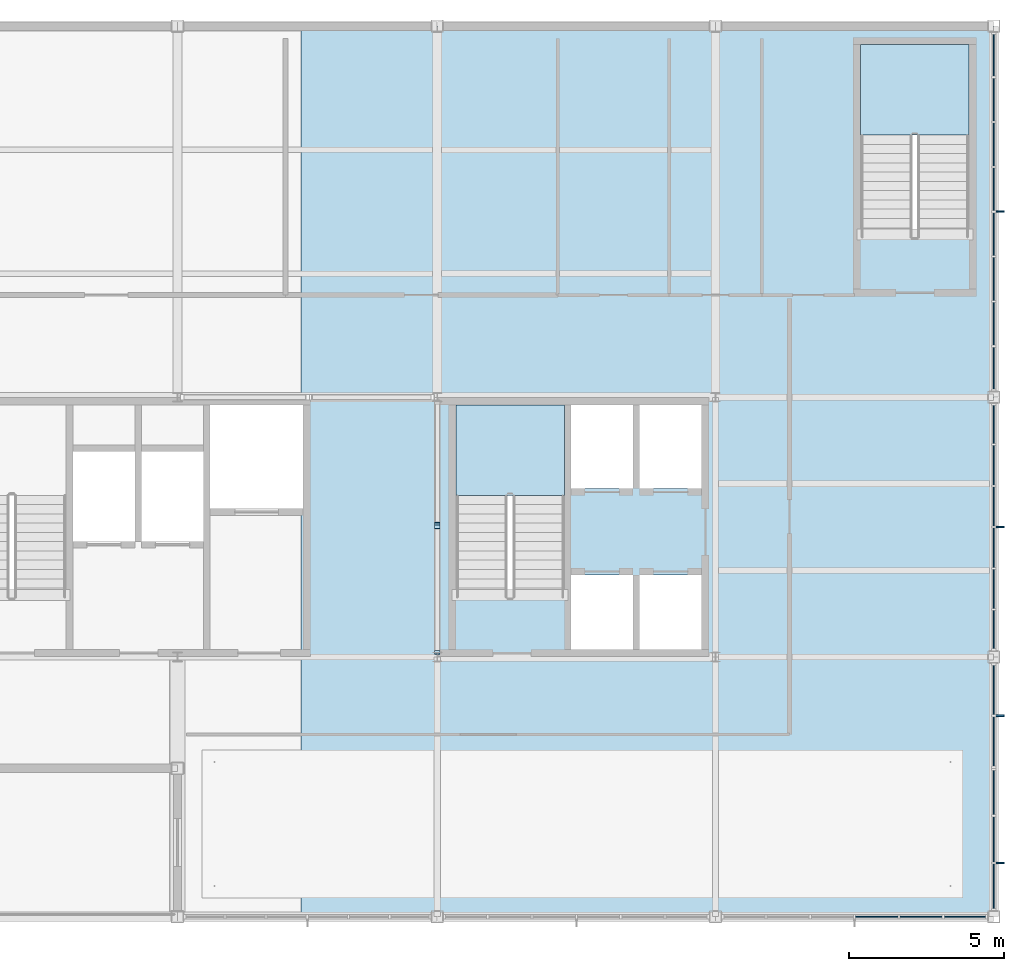
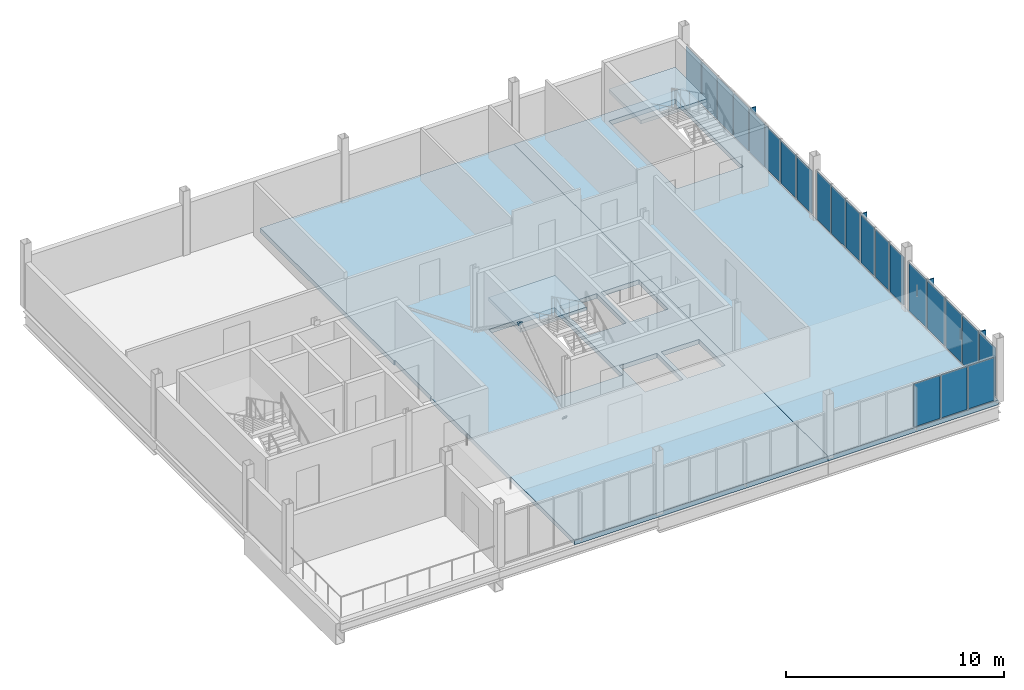
# One storey, part 10 of 17: 29 plates, 4 slabs, 7 elements without a shape of their own.
"""IFC4 building model written with IfcOpenShell, lengths in metres."""

from ifc_helpers import new_model, si_unit, direction, frame, origin, origin_2d, place, context, subcontext, project, spatial, polyline, rectangle, outline, extrude, material, layer, layer_set, type_object, element, aggregate, save


model = new_model("IFC4")

# Units and contexts
model_context = context("Model", 3, precision=1e-05, world=origin(), true_north=direction((0.0, 1.0)))
body_context = subcontext(model_context, "Body", "Model", "MODEL_VIEW")
ifc_project = project(units=[si_unit("LENGTHUNIT", "METRE"), si_unit("AREAUNIT", "SQUARE_METRE"), si_unit("VOLUMEUNIT", "CUBIC_METRE"), si_unit("PLANEANGLEUNIT", "RADIAN"), si_unit("MASSUNIT", "GRAM", prefix="KILO")], contexts=[model_context])

# Site, building, storey
site_placement = place(None, origin())
site = spatial("IfcSite", under=ifc_project, at=site_placement, CompositionType="ELEMENT")
building_placement = place(site_placement, origin())
building = spatial("IfcBuilding", under=site, at=building_placement, Name="Yukiwa Park Conservatory and Herbarium", CompositionType="ELEMENT")
storey_placement = place(building_placement, frame((0.0, 0.0, 57.60009765625)))
storey = spatial("IfcBuildingStorey", under=building, at=storey_placement, Name="L15", CompositionType="ELEMENT", Elevation=57.60009765625)

# Plates
ifc_material_1 = material(Name="Steel Q355D", Category="steel")
ifc_layer_1 = layer(ifc_material_1, 0.02392578125)
ifc_layer_set_1 = layer_set([ifc_layer_1], Name="Steel Q355D")
plate_type_1 = type_object("IfcPlateType", Name="PL-CAP-24-INT", PredefinedType="USERDEFINED", material=ifc_layer_set_1)
for number, where, z_axis, x_axis, name in (
    (1, (150.0, 94.951904296875, 0.15478515625), (0.0, -0.822557603224, -0.56868179976), (1.0, 0.0, 0.0), "Hollow section end cap plate CAP-BR-L15-075A"),
    (2, (150.0, 98.993408203125, 2.950439453125), (0.0, 0.822557603224, 0.56868179976), (-1.0, 0.0, 0.0), "Hollow section end cap plate CAP-BR-L15-075B"),
    (3, (150.0, 99.109375, 2.87939453125), (0.0, -0.822557603224, 0.56868179976), (1.0, 0.0, 0.0), "Hollow section end cap plate CAP-BR-L15-076B"),
):
    element("IfcPlate", number, at=place(storey_placement, frame(where, z_axis=z_axis, x_axis=x_axis)), inside=storey, type_object=plate_type_1, Name=name, ObjectType="END CAP PLATE", PredefinedType="USERDEFINED", context=body_context, shape_type="SweptSolid", body=[
        extrude(rectangle(XDim=0.17626953125, YDim=0.17626953125, at=origin_2d()), origin(), (0.0, 0.0, 1.0), 0.02392578125),
    ])

# Curtain wall, plates
ifc_material_2 = material(Name="Triple Low-E Insulated Glass", Category="glass")
ifc_layer_2 = layer(ifc_material_2, 0.2119140625)
ifc_layer_set_2 = layer_set([ifc_layer_2], Name="Triple Low-E Insulated Glass")
curtain_wall_type = type_object("IfcCurtainWallType", Name="CW-TOWER-SKY-1400", PredefinedType="NOTDEFINED", material=ifc_layer_set_2)
curtain_wall_1_placement = place(storey_placement, origin())
curtain_wall_1 = element("IfcCurtainWall", 4, at=curtain_wall_1_placement, inside=storey, type_object=curtain_wall_type, Name="L15 unitised curtain wall CW-L15-141", PredefinedType="NOTDEFINED")
ifc_material_3 = material(Name="Triple Low-E Insulated Glass", Category="glass")
ifc_layer_3 = layer(ifc_material_3, 0.035888671875)
ifc_layer_set_3 = layer_set([ifc_layer_3], Name="Triple Low-E Insulated Glass")
plate_type_2 = type_object("IfcPlateType", Name="PL-CW-GLZ-36", PredefinedType="CURTAIN_PANEL", material=ifc_layer_set_3)
plate_1_placement = place(storey_placement, frame((168.0, 87.36669921875, 0.06982421875), z_axis=(0.0, 0.0, 1.0), x_axis=(0.0, 1.0, 0.0)))
plate_1 = element("IfcPlate", 5, at=plate_1_placement, type_object=plate_type_2, Name="CW-L15-141 vision panel 1.1", PredefinedType="CURTAIN_PANEL", context=body_context, shape_type="SweptSolid", body=[
    extrude(rectangle(XDim=1.46337890625, YDim=0.035888671875, at=origin_2d()), origin(), (0.0, 0.0, 1.0), 2.68994140625),
])
plate_2_placement = place(storey_placement, frame((168.0, 88.89990234375, 0.06982421875), z_axis=(0.0, 0.0, 1.0), x_axis=(0.0, 1.0, 0.0)))
plate_2 = element("IfcPlate", 6, at=plate_2_placement, type_object=plate_type_2, Name="CW-L15-141 vision panel 2.1", PredefinedType="CURTAIN_PANEL", context=body_context, shape_type="SweptSolid", body=[
    extrude(rectangle(XDim=1.46337890625, YDim=0.035888671875, at=origin_2d()), origin(), (0.0, 0.0, 1.0), 2.68994140625),
])
plate_3_placement = place(storey_placement, frame((168.0, 90.433349609375, 0.06982421875), z_axis=(0.0, 0.0, 1.0), x_axis=(0.0, 1.0, 0.0)))
plate_3 = element("IfcPlate", 7, at=plate_3_placement, type_object=plate_type_2, Name="CW-L15-141 vision panel 3.1", PredefinedType="CURTAIN_PANEL", context=body_context, shape_type="SweptSolid", body=[
    extrude(rectangle(XDim=1.46337890625, YDim=0.035888671875, at=origin_2d()), origin(), (0.0, 0.0, 1.0), 2.68994140625),
])
aggregate(curtain_wall_1, [plate_1, plate_2, plate_3])

curtain_wall_2_placement = place(storey_placement, origin())
curtain_wall_2 = element("IfcCurtainWall", 8, at=curtain_wall_2_placement, inside=storey, type_object=curtain_wall_type, Name="L15 unitised curtain wall CW-L15-142", PredefinedType="NOTDEFINED")
plate_4_placement = place(storey_placement, frame((168.0, 92.050048828125, 0.06982421875), z_axis=(0.0, 0.0, 1.0), x_axis=(0.0, 1.0, 0.0)))
plate_4 = element("IfcPlate", 9, at=plate_4_placement, type_object=plate_type_2, Name="CW-L15-142 vision panel 1.1", PredefinedType="CURTAIN_PANEL", context=body_context, shape_type="SweptSolid", body=[
    extrude(rectangle(XDim=1.6298828125, YDim=0.035888671875, at=origin_2d()), origin(), (0.0, 0.0, 1.0), 2.68994140625),
])
plate_5_placement = place(storey_placement, frame((168.0, 93.75, 0.06982421875), z_axis=(0.0, 0.0, 1.0), x_axis=(0.0, 1.0, 0.0)))
plate_5 = element("IfcPlate", 10, at=plate_5_placement, type_object=plate_type_2, Name="CW-L15-142 vision panel 2.1", PredefinedType="CURTAIN_PANEL", context=body_context, shape_type="SweptSolid", body=[
    extrude(rectangle(XDim=1.6298828125, YDim=0.035888671875, at=origin_2d()), origin(), (0.0, 0.0, 1.0), 2.68994140625),
])
aggregate(curtain_wall_2, [plate_4, plate_5])

curtain_wall_3_placement = place(storey_placement, origin())
curtain_wall_3 = element("IfcCurtainWall", 11, at=curtain_wall_3_placement, inside=storey, type_object=curtain_wall_type, Name="L15 unitised curtain wall CW-L15-143", PredefinedType="NOTDEFINED")
plate_6_placement = place(storey_placement, frame((168.0, 95.666748046875, 0.06982421875), z_axis=(0.0, 0.0, 1.0), x_axis=(0.0, 1.0, 0.0)))
plate_6 = element("IfcPlate", 12, at=plate_6_placement, type_object=plate_type_2, Name="CW-L15-143 vision panel 1.1", PredefinedType="CURTAIN_PANEL", context=body_context, shape_type="SweptSolid", body=[
    extrude(rectangle(XDim=1.26318359375, YDim=0.035888671875, at=origin_2d()), origin(), (0.0, 0.0, 1.0), 2.68994140625),
])
plate_7_placement = place(storey_placement, frame((168.0, 97.0, 0.06982421875), z_axis=(0.0, 0.0, 1.0), x_axis=(0.0, 1.0, 0.0)))
plate_7 = element("IfcPlate", 13, at=plate_7_placement, type_object=plate_type_2, Name="CW-L15-143 vision panel 2.1", PredefinedType="CURTAIN_PANEL", context=body_context, shape_type="SweptSolid", body=[
    extrude(rectangle(XDim=1.26318359375, YDim=0.035888671875, at=origin_2d()), origin(), (0.0, 0.0, 1.0), 2.68994140625),
])
plate_8_placement = place(storey_placement, frame((168.0, 98.333251953125, 0.06982421875), z_axis=(0.0, 0.0, 1.0), x_axis=(0.0, 1.0, 0.0)))
plate_8 = element("IfcPlate", 14, at=plate_8_placement, type_object=plate_type_2, Name="CW-L15-143 vision panel 3.1", PredefinedType="CURTAIN_PANEL", context=body_context, shape_type="SweptSolid", body=[
    extrude(rectangle(XDim=1.26318359375, YDim=0.035888671875, at=origin_2d()), origin(), (0.0, 0.0, 1.0), 2.68994140625),
])
plate_9_placement = place(storey_placement, frame((168.0, 99.666748046875, 0.06982421875), z_axis=(0.0, 0.0, 1.0), x_axis=(0.0, 1.0, 0.0)))
plate_9 = element("IfcPlate", 15, at=plate_9_placement, type_object=plate_type_2, Name="CW-L15-143 vision panel 4.1", PredefinedType="CURTAIN_PANEL", context=body_context, shape_type="SweptSolid", body=[
    extrude(rectangle(XDim=1.26318359375, YDim=0.035888671875, at=origin_2d()), origin(), (0.0, 0.0, 1.0), 2.68994140625),
])
plate_10_placement = place(storey_placement, frame((168.0, 101.0, 0.06982421875), z_axis=(0.0, 0.0, 1.0), x_axis=(0.0, 1.0, 0.0)))
plate_10 = element("IfcPlate", 16, at=plate_10_placement, type_object=plate_type_2, Name="CW-L15-143 vision panel 5.1", PredefinedType="CURTAIN_PANEL", context=body_context, shape_type="SweptSolid", body=[
    extrude(rectangle(XDim=1.26318359375, YDim=0.035888671875, at=origin_2d()), origin(), (0.0, 0.0, 1.0), 2.68994140625),
])
plate_11_placement = place(storey_placement, frame((168.0, 102.333251953125, 0.06982421875), z_axis=(0.0, 0.0, 1.0), x_axis=(0.0, 1.0, 0.0)))
plate_11 = element("IfcPlate", 17, at=plate_11_placement, type_object=plate_type_2, Name="CW-L15-143 vision panel 6.1", PredefinedType="CURTAIN_PANEL", context=body_context, shape_type="SweptSolid", body=[
    extrude(rectangle(XDim=1.26318359375, YDim=0.035888671875, at=origin_2d()), origin(), (0.0, 0.0, 1.0), 2.68994140625),
])
aggregate(curtain_wall_3, [plate_6, plate_7, plate_8, plate_9, plate_10, plate_11])

curtain_wall_4_placement = place(storey_placement, origin())
curtain_wall_4 = element("IfcCurtainWall", 18, at=curtain_wall_4_placement, inside=storey, type_object=curtain_wall_type, Name="L15 unitised curtain wall CW-L15-144", PredefinedType="NOTDEFINED")
plate_12_placement = place(storey_placement, frame((168.0, 104.125, 0.06982421875), z_axis=(0.0, 0.0, 1.0), x_axis=(0.0, 1.0, 0.0)))
plate_12 = element("IfcPlate", 19, at=plate_12_placement, type_object=plate_type_2, Name="CW-L15-144 vision panel 1.1", PredefinedType="CURTAIN_PANEL", context=body_context, shape_type="SweptSolid", body=[
    extrude(rectangle(XDim=1.3798828125, YDim=0.035888671875, at=origin_2d()), origin(), (0.0, 0.0, 1.0), 2.39794921875),
])
plate_13_placement = place(storey_placement, frame((168.0, 105.574951171875, 0.06982421875), z_axis=(0.0, 0.0, 1.0), x_axis=(0.0, 1.0, 0.0)))
plate_13 = element("IfcPlate", 20, at=plate_13_placement, type_object=plate_type_2, Name="CW-L15-144 vision panel 2.1", PredefinedType="CURTAIN_PANEL", context=body_context, shape_type="SweptSolid", body=[
    extrude(rectangle(XDim=1.3798828125, YDim=0.035888671875, at=origin_2d()), origin(), (0.0, 0.0, 1.0), 2.39794921875),
])
plate_14_placement = place(storey_placement, frame((168.0, 107.02490234375, 0.06982421875), z_axis=(0.0, 0.0, 1.0), x_axis=(0.0, 1.0, 0.0)))
plate_14 = element("IfcPlate", 21, at=plate_14_placement, type_object=plate_type_2, Name="CW-L15-144 vision panel 3.1", PredefinedType="CURTAIN_PANEL", context=body_context, shape_type="SweptSolid", body=[
    extrude(rectangle(XDim=1.3798828125, YDim=0.035888671875, at=origin_2d()), origin(), (0.0, 0.0, 1.0), 2.39794921875),
])
plate_15_placement = place(storey_placement, frame((168.0, 108.47509765625, 0.06982421875), z_axis=(0.0, 0.0, 1.0), x_axis=(0.0, 1.0, 0.0)))
plate_15 = element("IfcPlate", 22, at=plate_15_placement, type_object=plate_type_2, Name="CW-L15-144 vision panel 4.1", PredefinedType="CURTAIN_PANEL", context=body_context, shape_type="SweptSolid", body=[
    extrude(rectangle(XDim=1.3798828125, YDim=0.035888671875, at=origin_2d()), origin(), (0.0, 0.0, 1.0), 2.39794921875),
])
plate_16_placement = place(storey_placement, frame((168.0, 109.925048828125, 0.06982421875), z_axis=(0.0, 0.0, 1.0), x_axis=(0.0, 1.0, 0.0)))
plate_16 = element("IfcPlate", 23, at=plate_16_placement, type_object=plate_type_2, Name="CW-L15-144 vision panel 5.1", PredefinedType="CURTAIN_PANEL", context=body_context, shape_type="SweptSolid", body=[
    extrude(rectangle(XDim=1.3798828125, YDim=0.035888671875, at=origin_2d()), origin(), (0.0, 0.0, 1.0), 2.39794921875),
])
plate_17_placement = place(storey_placement, frame((168.0, 111.375, 0.06982421875), z_axis=(0.0, 0.0, 1.0), x_axis=(0.0, 1.0, 0.0)))
plate_17 = element("IfcPlate", 24, at=plate_17_placement, type_object=plate_type_2, Name="CW-L15-144 vision panel 6.1", PredefinedType="CURTAIN_PANEL", context=body_context, shape_type="SweptSolid", body=[
    extrude(rectangle(XDim=1.3798828125, YDim=0.035888671875, at=origin_2d()), origin(), (0.0, 0.0, 1.0), 2.39794921875),
])
plate_18_placement = place(storey_placement, frame((168.0, 112.824951171875, 0.06982421875), z_axis=(0.0, 0.0, 1.0), x_axis=(0.0, 1.0, 0.0)))
plate_18 = element("IfcPlate", 25, at=plate_18_placement, type_object=plate_type_2, Name="CW-L15-144 vision panel 7.1", PredefinedType="CURTAIN_PANEL", context=body_context, shape_type="SweptSolid", body=[
    extrude(rectangle(XDim=1.3798828125, YDim=0.035888671875, at=origin_2d()), origin(), (0.0, 0.0, 1.0), 2.39794921875),
])
plate_19_placement = place(storey_placement, frame((168.0, 114.27490234375, 0.06982421875), z_axis=(0.0, 0.0, 1.0), x_axis=(0.0, 1.0, 0.0)))
plate_19 = element("IfcPlate", 26, at=plate_19_placement, type_object=plate_type_2, Name="CW-L15-144 vision panel 8.1", PredefinedType="CURTAIN_PANEL", context=body_context, shape_type="SweptSolid", body=[
    extrude(rectangle(XDim=1.3798828125, YDim=0.035888671875, at=origin_2d()), origin(), (0.0, 0.0, 1.0), 2.39794921875),
])
aggregate(curtain_wall_4, [plate_12, plate_13, plate_14, plate_15, plate_16, plate_17, plate_18, plate_19])

curtain_wall_5_placement = place(storey_placement, origin())
curtain_wall_5 = element("IfcCurtainWall", 27, at=curtain_wall_5_placement, inside=storey, type_object=curtain_wall_type, Name="L15 unitised curtain wall CW-L15-147", PredefinedType="NOTDEFINED")
plate_20_placement = place(storey_placement, frame((164.216796875, 86.39990234375, 0.06982421875), z_axis=(0.0, 0.0, 1.0), x_axis=(1.0, 0.0, 0.0)))
plate_20 = element("IfcPlate", 28, at=plate_20_placement, type_object=plate_type_2, Name="CW-L15-147 vision panel 4.1", PredefinedType="CURTAIN_PANEL", context=body_context, shape_type="SweptSolid", body=[
    extrude(rectangle(XDim=1.36328125, YDim=0.035888671875, at=origin_2d()), origin(), (0.0, 0.0, 1.0), 2.39794921875),
])
plate_21_placement = place(storey_placement, frame((165.64990234375, 86.39990234375, 0.06982421875), z_axis=(0.0, 0.0, 1.0), x_axis=(1.0, 0.0, 0.0)))
plate_21 = element("IfcPlate", 29, at=plate_21_placement, type_object=plate_type_2, Name="CW-L15-147 vision panel 5.1", PredefinedType="CURTAIN_PANEL", context=body_context, shape_type="SweptSolid", body=[
    extrude(rectangle(XDim=1.36328125, YDim=0.035888671875, at=origin_2d()), origin(), (0.0, 0.0, 1.0), 2.39794921875),
])
plate_22_placement = place(storey_placement, frame((167.083251953125, 86.39990234375, 0.06982421875), z_axis=(0.0, 0.0, 1.0), x_axis=(1.0, 0.0, 0.0)))
plate_22 = element("IfcPlate", 30, at=plate_22_placement, type_object=plate_type_2, Name="CW-L15-147 vision panel 6.1", PredefinedType="CURTAIN_PANEL", context=body_context, shape_type="SweptSolid", body=[
    extrude(rectangle(XDim=1.36328125, YDim=0.035888671875, at=origin_2d()), origin(), (0.0, 0.0, 1.0), 2.39794921875),
])
aggregate(curtain_wall_5, [plate_20, plate_21, plate_22])

# Plates
ifc_material_4 = material(Name="Anodised Aluminium", Category="aluminium")
ifc_layer_4 = layer(ifc_material_4, 0.050048828125)
ifc_layer_set_4 = layer_set([ifc_layer_4], Name="Anodised Aluminium")
plate_type_3 = type_object("IfcPlateType", Name="PL-FIN-ALU-50", PredefinedType="USERDEFINED", material=ifc_layer_set_4)
for number, where, z_axis, x_axis, name in (
    (31, (168.18994140625, 88.13330078125, 0.059814453125), (0.0, 0.0, 1.0), (0.0, 1.0, 0.0), "CW-L15-141 exterior vertical shading fin"),
    (32, (168.18994140625, 92.89990234375, 0.059814453125), (0.0, 0.0, 1.0), (0.0, 1.0, 0.0), "CW-L15-142 exterior vertical shading fin"),
    (33, (168.18994140625, 99.0, 0.059814453125), (0.0, 0.0, 1.0), (0.0, 1.0, 0.0), "CW-L15-143 exterior vertical shading fin"),
):
    element("IfcPlate", number, at=place(storey_placement, frame(where, z_axis=z_axis, x_axis=x_axis)), inside=storey, type_object=plate_type_3, Name=name, ObjectType="SHADING FIN", PredefinedType="USERDEFINED", context=body_context, shape_type="SweptSolid", body=[
        extrude(rectangle(XDim=0.050048828125, YDim=0.280029296875, at=origin_2d()), origin(), (0.0, 0.0, 1.0), 2.7099609375),
    ])
plate_23_placement = place(storey_placement, frame((168.18994140625, 109.199951171875, 0.059814453125), z_axis=(0.0, 0.0, 1.0), x_axis=(0.0, 1.0, 0.0)))
element("IfcPlate", 34, at=plate_23_placement, inside=storey, type_object=plate_type_3, Name="CW-L15-144 exterior vertical shading fin", ObjectType="SHADING FIN", PredefinedType="USERDEFINED", context=body_context, shape_type="SweptSolid", body=[
    extrude(rectangle(XDim=0.050048828125, YDim=0.280029296875, at=origin_2d()), origin(), (0.0, 0.0, 1.0), 2.41796875),
])

# Slabs
ifc_material_5 = material(Name="Concrete C40", Category="concrete")
ifc_layer_5 = layer(ifc_material_5, 0.256103515625)
ifc_layer_set_5 = layer_set([ifc_layer_5], Name="Concrete C40")
slab_type_1 = type_object("IfcSlabType", Name="SL-FLR-256", PredefinedType="FLOOR", material=ifc_layer_set_5)
slab_1_placement = place(storey_placement, frame((0.0, 0.0, -0.256103515625)))
element("IfcSlab", 35, at=slab_1_placement, inside=storey, type_object=slab_type_1, Name="L15 composite structural floor slab V5C", PredefinedType="FLOOR", context=body_context, shape_type="SweptSolid", body=[
    extrude(outline(polyline([(145.60009765625, 99.60009765625), (145.659912109375, 99.60009765625), (145.659912109375, 102.949951171875), (145.60009765625, 102.949951171875), (145.60009765625, 115.199951171875), (159.0, 115.199951171875), (159.0, 86.39990234375), (145.60009765625, 86.39990234375), (145.60009765625, 99.60009765625)]), holes=[polyline([(154.330078125, 97.449951171875), (154.330078125, 95.050048828125), (156.330078125, 95.050048828125), (156.330078125, 97.449951171875), (154.330078125, 97.449951171875)]), polyline([(156.550048828125, 97.449951171875), (156.550048828125, 95.050048828125), (158.550048828125, 95.050048828125), (158.550048828125, 97.449951171875), (156.550048828125, 97.449951171875)]), polyline([(154.110107421875, 102.949951171875), (150.60009765625, 102.949951171875), (150.60009765625, 96.72998046875), (154.110107421875, 96.72998046875), (154.110107421875, 102.949951171875)]), polyline([(154.330078125, 102.949951171875), (154.330078125, 100.25), (156.330078125, 100.25), (156.330078125, 102.949951171875), (154.330078125, 102.949951171875)]), polyline([(158.550048828125, 102.949951171875), (156.550048828125, 102.949951171875), (156.550048828125, 100.25), (158.550048828125, 100.25), (158.550048828125, 102.949951171875)])]), origin(), (0.0, 0.0, 1.0), 0.256103515625),
])
slab_2_placement = place(storey_placement, frame((0.0, 0.0, -0.256103515625)))
element("IfcSlab", 36, at=slab_2_placement, inside=storey, type_object=slab_type_1, Name="L15 composite structural floor slab V5E", PredefinedType="FLOOR", context=body_context, shape_type="SweptSolid", body=[
    extrude(outline(polyline([(168.0, 86.39990234375), (159.0, 86.39990234375), (159.0, 115.199951171875), (168.0, 115.199951171875), (168.0, 86.39990234375)]), holes=[polyline([(167.199951171875, 114.60009765625), (163.68994140625, 114.60009765625), (163.68994140625, 108.3798828125), (167.199951171875, 108.3798828125), (167.199951171875, 114.60009765625)])]), origin(), (0.0, 0.0, 1.0), 0.256103515625),
])

# Stair, slab
ifc_material_6 = material(Name="Concrete C40", Category="concrete")
stair_type_1 = type_object("IfcStairType", Name="ST-DOGLEG-ST-T2", PredefinedType="HALF_TURN_STAIR", material=ifc_material_6)
stair_1_placement = place(storey_placement, origin())
stair_1 = element("IfcStair", 37, at=stair_1_placement, inside=storey, type_object=stair_type_1, Name="L15 Protected Smoke-Proof Stair ST-T2", PredefinedType="HALF_TURN_STAIR")
ifc_material_7 = material(Name="Concrete C40", Category="concrete")
ifc_layer_6 = layer(ifc_material_7, 0.199951171875)
ifc_layer_set_6 = layer_set([ifc_layer_6], Name="Concrete C40")
slab_type_2 = type_object("IfcSlabType", Name="SL-LANDING-220", PredefinedType="LANDING", material=ifc_layer_set_6)
slab_3_placement = place(storey_placement, frame((0.0, 0.0, 1.599853515625)))
slab_3 = element("IfcSlab", 38, at=slab_3_placement, type_object=slab_type_2, Name="ST-T2 landing 1", PredefinedType="LANDING", context=body_context, shape_type="SweptSolid", body=[
    extrude(outline(polyline([(154.110107421875, 100.030029296875), (154.110107421875, 102.949951171875), (150.60009765625, 102.949951171875), (150.60009765625, 100.030029296875), (154.110107421875, 100.030029296875)])), origin(), (0.0, 0.0, 1.0), 0.199951171875),
])
aggregate(stair_1, [slab_3])

ifc_material_8 = material(Name="Concrete C40", Category="concrete")
stair_type_2 = type_object("IfcStairType", Name="ST-DOGLEG-ST-T3", PredefinedType="HALF_TURN_STAIR", material=ifc_material_8)
stair_2_placement = place(storey_placement, origin())
stair_2 = element("IfcStair", 39, at=stair_2_placement, inside=storey, type_object=stair_type_2, Name="L15 Protected Smoke-Proof Stair ST-T3", PredefinedType="HALF_TURN_STAIR")
slab_4_placement = place(storey_placement, frame((0.0, 0.0, 1.599853515625)))
slab_4 = element("IfcSlab", 40, at=slab_4_placement, type_object=slab_type_2, Name="ST-T3 landing 1", PredefinedType="LANDING", context=body_context, shape_type="SweptSolid", body=[
    extrude(outline(polyline([(167.199951171875, 111.679931640625), (167.199951171875, 114.60009765625), (163.68994140625, 114.60009765625), (163.68994140625, 111.679931640625), (167.199951171875, 111.679931640625)])), origin(), (0.0, 0.0, 1.0), 0.199951171875),
])
aggregate(stair_2, [slab_4])

save(model, "model.ifc")
